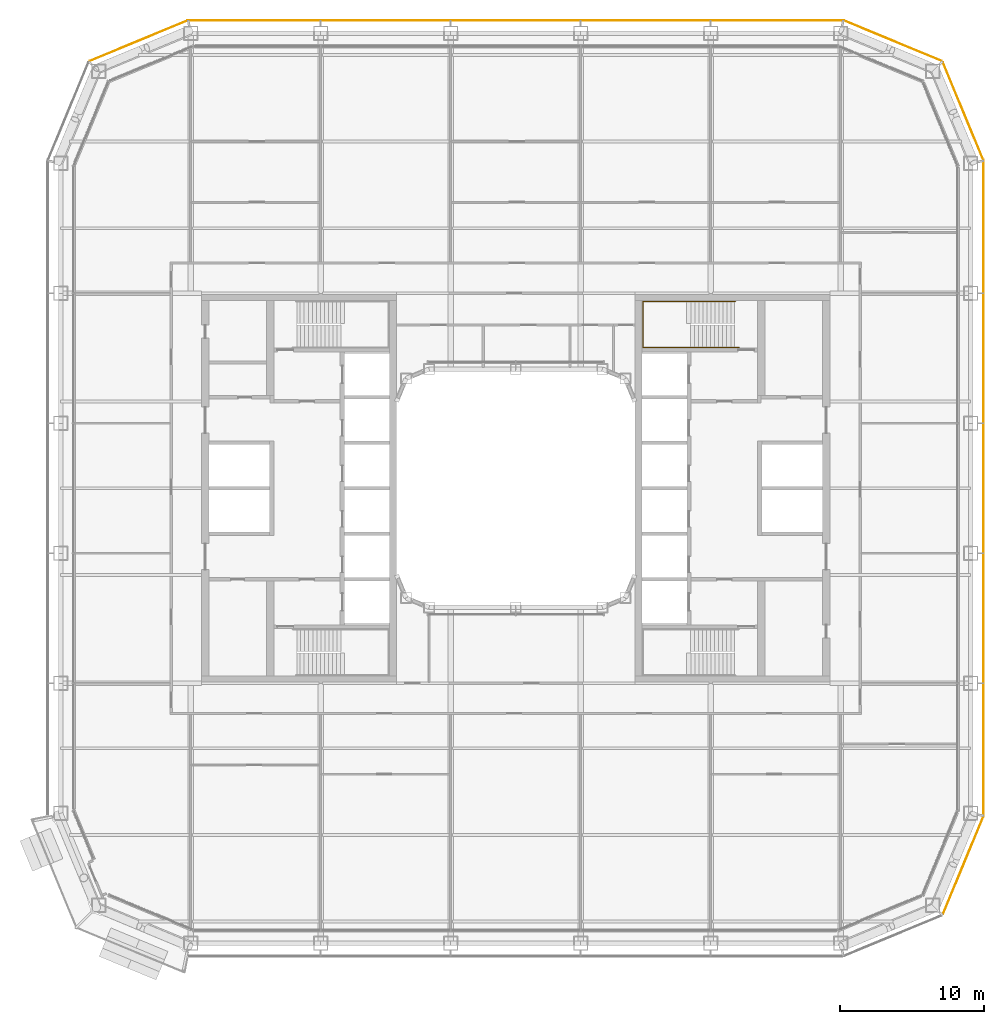
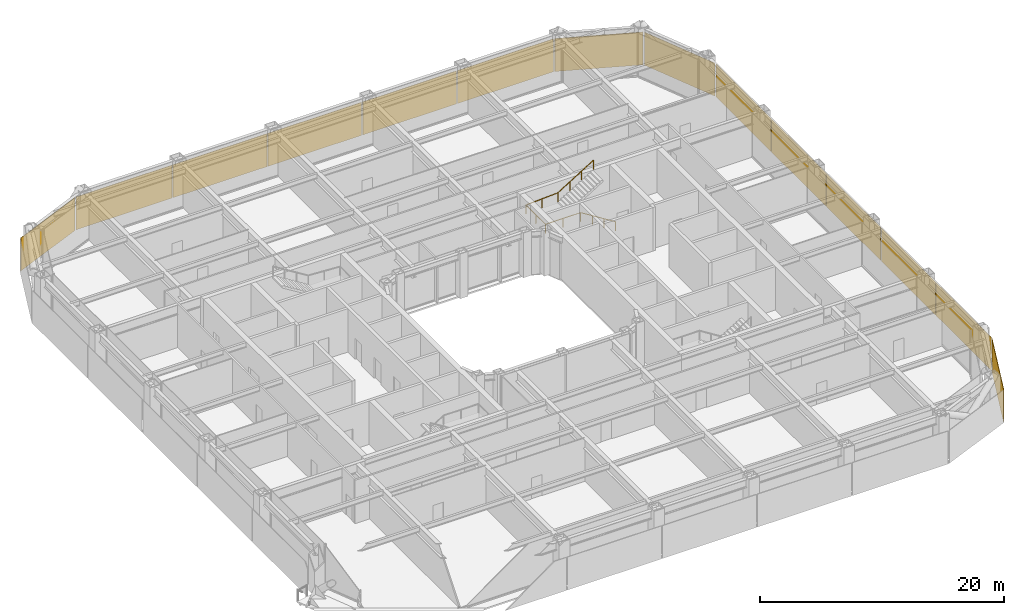
# One storey, part 26 of 27: 14 coverings, 1 railing.
"""IFC4 building model written with IfcOpenShell, lengths in metres."""

from ifc_helpers import new_model, si_unit, direction, frame, origin, origin_2d, place, context, subcontext, project, spatial, rectangle, circle, extrude, material, layer, layer_set, type_object, element, save


model = new_model("IFC4")

# Units and contexts
model_context = context("Model", 3, precision=1e-05, world=origin(), true_north=direction((0.0, 1.0)))
body_context = subcontext(model_context, "Body", "Model", "MODEL_VIEW")
ifc_project = project(units=[si_unit("LENGTHUNIT", "METRE"), si_unit("AREAUNIT", "SQUARE_METRE"), si_unit("VOLUMEUNIT", "CUBIC_METRE"), si_unit("PLANEANGLEUNIT", "RADIAN"), si_unit("MASSUNIT", "GRAM", prefix="KILO")], contexts=[model_context])

# Site, building, storey
site_placement = place(None, origin())
site = spatial("IfcSite", under=ifc_project, at=site_placement, CompositionType="ELEMENT")
building_placement = place(site_placement, origin())
building = spatial("IfcBuilding", under=site, at=building_placement, Name="Siwar Civic Tower", CompositionType="ELEMENT")
storey_placement = place(building_placement, frame((0.0, 0.0, 53.699951171875)))
storey = spatial("IfcBuildingStorey", under=building, at=storey_placement, Name="L11", CompositionType="ELEMENT", Elevation=53.699951171875)

# Railing
ifc_material_1 = material(Name="Stainless steel", Category="steel")
railing_type = type_object("IfcRailingType", Name="CORE-STAIR-HANDRAIL", PredefinedType="HANDRAIL", material=ifc_material_1)
railing_placement = place(storey_placement, frame((15.449951171875, 9.758056640625, 0.173095703125)))
element("IfcRailing", 1, at=railing_placement, inside=storey, type_object=railing_type, Name="Stair handrail ST3", PredefinedType="HANDRAIL", context=body_context, shape_type="SweptSolid", body=[
    extrude(circle(Radius=0.02001953125, at=origin_2d()), frame((0.0, 0.0, 0.8798828125), z_axis=(-0.847063342986, 0.0, 0.531491950051), x_axis=(0.0, -1.0, 0.0)), (0.0, 0.0, 1.0), 3.90771484375),
    extrude(circle(Radius=0.02001953125, at=origin_2d()), frame((-3.31005859375, 0.0, 2.956787109375), z_axis=(-1.0, 0.0, 0.0), x_axis=(0.0, -1.0, 0.0)), (0.0, 0.0, 1.0), 3.331787109375),
    extrude(circle(Radius=0.02001953125, at=origin_2d()), frame((-6.641845703125, 0.0, 2.956787109375), z_axis=(0.0, 1.0, 0.0), x_axis=(-1.0, 0.0, 0.0)), (0.0, 0.0, 1.0), 3.183837890625),
    extrude(circle(Radius=0.02001953125, at=origin_2d()), frame((-6.641845703125, 3.183837890625, 2.956787109375), z_axis=(0.99837434197, 0.0, 0.056997134106), x_axis=(0.0, 1.0, 0.0)), (0.0, 0.0, 1.0), 3.036865234375),
    extrude(circle(Radius=0.02001953125, at=origin_2d()), frame((-3.60986328125, 3.183837890625, 3.1298828125), z_axis=(0.850606129759, 0.0, 0.525803396734), x_axis=(0.0, 1.0, 0.0)), (0.0, 0.0, 1.0), 3.949951171875),
    extrude(circle(Radius=0.02001953125, at=origin_2d()), origin(), (0.0, 0.0, 1.0), 0.85986328125),
    extrude(circle(Radius=0.02001953125, at=origin_2d()), frame((-1.103271484375, 0.0, 0.6923828125)), (0.0, 0.0, 1.0), 0.85986328125),
    extrude(circle(Radius=0.02001953125, at=origin_2d()), frame((-2.206787109375, 0.0, 1.384521484375)), (0.0, 0.0, 1.0), 0.85986328125),
    extrude(circle(Radius=0.02001953125, at=origin_2d()), frame((-3.31005859375, 0.0, 2.076904296875)), (0.0, 0.0, 1.0), 0.85986328125),
    extrude(circle(Radius=0.02001953125, at=origin_2d()), frame((-4.97607421875, 0.0, 2.076904296875)), (0.0, 0.0, 1.0), 0.85986328125),
    extrude(circle(Radius=0.02001953125, at=origin_2d()), frame((-6.641845703125, 0.0, 2.076904296875)), (0.0, 0.0, 1.0), 0.85986328125),
    extrude(circle(Radius=0.02001953125, at=origin_2d()), frame((-6.641845703125, 1.591796875, 2.076904296875)), (0.0, 0.0, 1.0), 0.85986328125),
    extrude(circle(Radius=0.02001953125, at=origin_2d()), frame((-6.641845703125, 3.183837890625, 2.076904296875)), (0.0, 0.0, 1.0), 0.85986328125),
    extrude(circle(Radius=0.02001953125, at=origin_2d()), frame((-5.1259765625, 3.183837890625, 2.16357421875)), (0.0, 0.0, 1.0), 0.85986328125),
    extrude(circle(Radius=0.02001953125, at=origin_2d()), frame((-3.60986328125, 3.183837890625, 2.25)), (0.0, 0.0, 1.0), 0.85986328125),
    extrude(circle(Radius=0.02001953125, at=origin_2d()), frame((-2.489990234375, 3.183837890625, 2.9423828125)), (0.0, 0.0, 1.0), 0.85986328125),
    extrude(circle(Radius=0.02001953125, at=origin_2d()), frame((-1.369873046875, 3.183837890625, 3.634521484375)), (0.0, 0.0, 1.0), 0.85986328125),
    extrude(circle(Radius=0.02001953125, at=origin_2d()), frame((-0.25, 3.183837890625, 4.326904296875)), (0.0, 0.0, 1.0), 0.85986328125),
])

# Coverings
ifc_material_2 = material(Name="Perforated aluminium cassette, pale metal", Category="aluminium")
ifc_layer_1 = layer(ifc_material_2, 0.0400390625)
ifc_layer_set_1 = layer_set([ifc_layer_1], Name="Perforated aluminium cassette, pale metal")
covering_type_1 = type_object("IfcCoveringType", Name="ENV-OUTER SKIN OS-1", PredefinedType="CLADDING", material=ifc_layer_set_1)
covering_1_placement = place(storey_placement, frame((32.39990234375, -18.07958984375, -0.14990234375), z_axis=(0.0, 0.0, 1.0), x_axis=(0.0, 1.0, 0.0)))
element("IfcCovering", 2, at=covering_1_placement, inside=storey, type_object=covering_type_1, Name="OUTER SKIN OS-1 E 1", PredefinedType="CLADDING", context=body_context, shape_type="SweptSolid", body=[
    extrude(rectangle(XDim=9.05908203125, YDim=0.0400390625, at=origin_2d()), origin(), (0.0, 0.0, 1.0), 3.300048828125),
])
for number, where, z_axis, x_axis, name in (
    (3, (32.39990234375, -9.0, -0.14990234375), (0.0, 0.0, 1.0), (0.0, 1.0, 0.0), "OUTER SKIN OS-1 E 2"),
    (4, (32.39990234375, 0.0, -0.14990234375), (0.0, 0.0, 1.0), (0.0, 1.0, 0.0), "OUTER SKIN OS-1 E 3"),
    (5, (32.39990234375, 9.0, -0.14990234375), (0.0, 0.0, 1.0), (0.0, 1.0, 0.0), "OUTER SKIN OS-1 E 4"),
):
    element("IfcCovering", number, at=place(storey_placement, frame(where, z_axis=z_axis, x_axis=x_axis)), inside=storey, type_object=covering_type_1, Name=name, PredefinedType="CLADDING", context=body_context, shape_type="SweptSolid", body=[
        extrude(rectangle(XDim=8.89990234375, YDim=0.0400390625, at=origin_2d()), origin(), (0.0, 0.0, 1.0), 3.300048828125),
    ])
covering_2_placement = place(storey_placement, frame((32.39990234375, 18.07958984375, -0.14990234375), z_axis=(0.0, 0.0, 1.0), x_axis=(0.0, 1.0, 0.0)))
element("IfcCovering", 6, at=covering_2_placement, inside=storey, type_object=covering_type_1, Name="OUTER SKIN OS-1 E 5", PredefinedType="CLADDING", context=body_context, shape_type="SweptSolid", body=[
    extrude(rectangle(XDim=9.05908203125, YDim=0.0400390625, at=origin_2d()), origin(), (0.0, 0.0, 1.0), 3.300048828125),
])
for number, where, z_axis, x_axis, name in (
    (7, (30.976318359375, 26.115966796875, -0.14990234375), (0.0, 0.0, 1.0), (-0.382683432365, 0.923879532511, 0.0), "OUTER SKIN OS-1 NE1 1"),
    (8, (26.115966796875, 30.976318359375, -0.14990234375), (0.0, 0.0, 1.0), (-0.923879532511, 0.382683432365, 0.0), "OUTER SKIN OS-1 NE2 1"),
):
    element("IfcCovering", number, at=place(storey_placement, frame(where, z_axis=z_axis, x_axis=x_axis)), inside=storey, type_object=covering_type_1, Name=name, PredefinedType="CLADDING", context=body_context, shape_type="SweptSolid", body=[
        extrude(rectangle(XDim=7.300048828125, YDim=0.0400390625, at=origin_2d()), origin(), (0.0, 0.0, 1.0), 3.300048828125),
    ])
covering_3_placement = place(storey_placement, frame((18.07958984375, 32.39990234375, -0.14990234375), z_axis=(0.0, 0.0, 1.0), x_axis=(-1.0, 0.0, 0.0)))
element("IfcCovering", 9, at=covering_3_placement, inside=storey, type_object=covering_type_1, Name="OUTER SKIN OS-1 N 1", PredefinedType="CLADDING", context=body_context, shape_type="SweptSolid", body=[
    extrude(rectangle(XDim=9.05908203125, YDim=0.0400390625, at=origin_2d()), origin(), (0.0, 0.0, 1.0), 3.300048828125),
])
for number, where, z_axis, x_axis, name in (
    (10, (9.0, 32.39990234375, -0.14990234375), (0.0, 0.0, 1.0), (-1.0, 0.0, 0.0), "OUTER SKIN OS-1 N 2"),
    (11, (0.0, 32.39990234375, -0.14990234375), (0.0, 0.0, 1.0), (-1.0, 0.0, 0.0), "OUTER SKIN OS-1 N 3"),
    (12, (-9.0, 32.39990234375, -0.14990234375), (0.0, 0.0, 1.0), (-1.0, 0.0, 0.0), "OUTER SKIN OS-1 N 4"),
):
    element("IfcCovering", number, at=place(storey_placement, frame(where, z_axis=z_axis, x_axis=x_axis)), inside=storey, type_object=covering_type_1, Name=name, PredefinedType="CLADDING", context=body_context, shape_type="SweptSolid", body=[
        extrude(rectangle(XDim=8.89990234375, YDim=0.0400390625, at=origin_2d()), origin(), (0.0, 0.0, 1.0), 3.300048828125),
    ])
covering_4_placement = place(storey_placement, frame((-18.07958984375, 32.39990234375, -0.14990234375), z_axis=(0.0, 0.0, 1.0), x_axis=(-1.0, 0.0, 0.0)))
element("IfcCovering", 13, at=covering_4_placement, inside=storey, type_object=covering_type_1, Name="OUTER SKIN OS-1 N 5", PredefinedType="CLADDING", context=body_context, shape_type="SweptSolid", body=[
    extrude(rectangle(XDim=9.05908203125, YDim=0.0400390625, at=origin_2d()), origin(), (0.0, 0.0, 1.0), 3.300048828125),
])
covering_5_placement = place(storey_placement, frame((-26.115966796875, 30.976318359375, -0.14990234375), z_axis=(0.0, 0.0, 1.0), x_axis=(-0.923879532511, -0.382683432365, 0.0)))
element("IfcCovering", 14, at=covering_5_placement, inside=storey, type_object=covering_type_1, Name="OUTER SKIN OS-1 NW1 1", PredefinedType="CLADDING", context=body_context, shape_type="SweptSolid", body=[
    extrude(rectangle(XDim=7.300048828125, YDim=0.0400390625, at=origin_2d()), origin(), (0.0, 0.0, 1.0), 3.300048828125),
])
ifc_material_3 = material(Name="Perforated aluminium cassette, pale metal", Category="aluminium")
ifc_layer_2 = layer(ifc_material_3, 0.044921875)
ifc_layer_set_2 = layer_set([ifc_layer_2], Name="Perforated aluminium cassette, pale metal")
covering_type_2 = type_object("IfcCoveringType", Name="ENV-OUTER SKIN OS-2", PredefinedType="CLADDING", material=ifc_layer_set_2)
covering_6_placement = place(storey_placement, frame((30.976318359375, -26.115966796875, -0.14990234375), z_axis=(0.0, 0.0, 1.0), x_axis=(0.382683432365, 0.923879532511, 0.0)))
element("IfcCovering", 15, at=covering_6_placement, inside=storey, type_object=covering_type_2, Name="OUTER SKIN OS-2 SE2 1", PredefinedType="CLADDING", context=body_context, shape_type="SweptSolid", body=[
    extrude(rectangle(XDim=7.300048828125, YDim=0.044921875, at=origin_2d()), origin(), (0.0, 0.0, 1.0), 3.300048828125),
])

save(model, "model.ifc")
